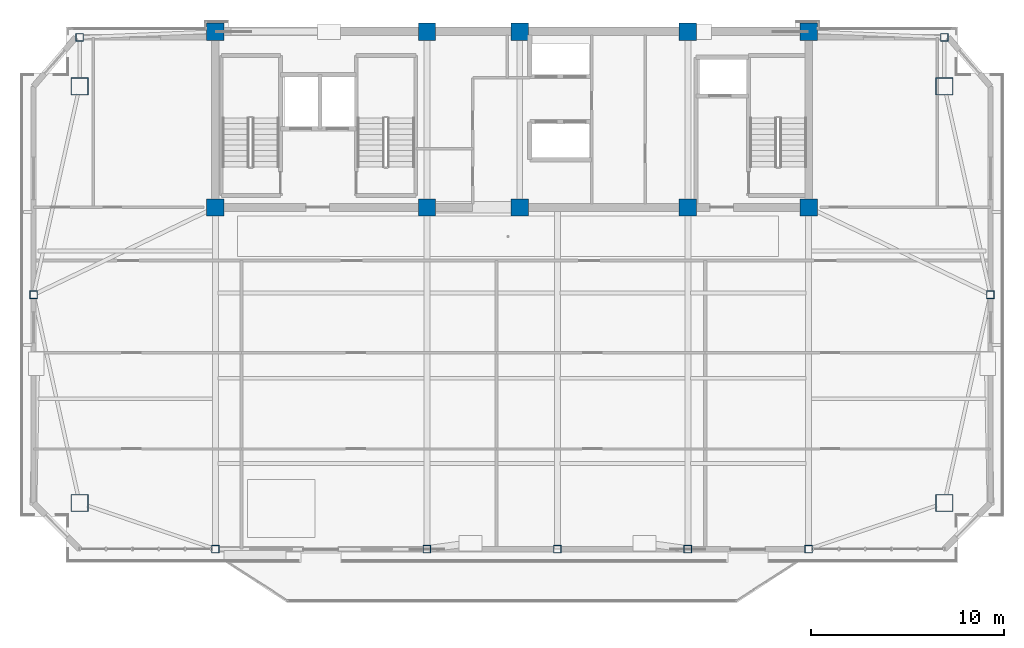
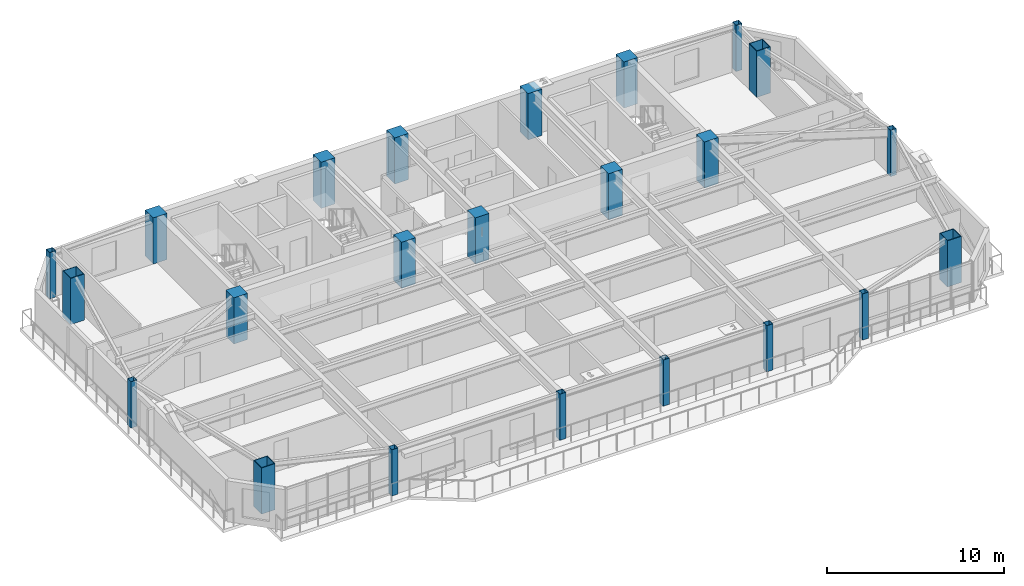
# One storey, part 1 of 13: 23 columns.
"""IFC4 building model written with IfcOpenShell, lengths in metres."""

from ifc_helpers import new_model, si_unit, direction, frame, origin, origin_2d, place, context, subcontext, project, spatial, rectangle, hollow_rectangle, extrude, source, transform, mapped, material, material_profile, profile_set, type_object, element, save


model = new_model("IFC4")

# Units and contexts
model_context = context("Model", 3, precision=1e-05, world=origin(), true_north=direction((0.0, 1.0)))
body_context = subcontext(model_context, "Body", "Model", "MODEL_VIEW")
ifc_project = project(units=[si_unit("LENGTHUNIT", "METRE"), si_unit("AREAUNIT", "SQUARE_METRE"), si_unit("VOLUMEUNIT", "CUBIC_METRE"), si_unit("PLANEANGLEUNIT", "RADIAN"), si_unit("MASSUNIT", "GRAM", prefix="KILO")], contexts=[model_context])

# Site, building, storey
site_placement = place(None, origin())
site = spatial("IfcSite", under=ifc_project, at=site_placement, CompositionType="ELEMENT")
building_placement = place(site_placement, origin())
building = spatial("IfcBuilding", under=site, at=building_placement, Name="Giltprow Tower", CompositionType="ELEMENT")
storey_placement = place(building_placement, frame((0.0, 0.0, 304.0)))
storey = spatial("IfcBuildingStorey", under=building, at=storey_placement, Name="L78", CompositionType="ELEMENT", Elevation=304.0)

# Columns
ifc_material_1 = material(Name="Concrete C45", Category="concrete")
ifc_material_profile_1 = material_profile(ifc_material_1, rectangle(XDim=0.89990234375, YDim=0.89990234375, at=origin_2d()), Name="RC 900x900")
ifc_profile_set_1 = profile_set([ifc_material_profile_1], Name="Concrete C45")
column_type_1 = type_object("IfcColumnType", Name="PIL-RC-900-C45", PredefinedType="PILASTER", material=ifc_profile_set_1)
shared_shape_1 = source(origin(), body_context, "Body", "SweptSolid", [
    extrude(rectangle(XDim=0.89990234375, YDim=0.89990234375, at=origin_2d()), origin(), (0.0, 0.0, 1.0), 3.18505859375),
])
for number, where, z_axis, x_axis, name in (
    (1, (19.85009765625, 37.449951171875, 0.0), (0.0, 0.0, 1.0), (1.0, 0.0, 0.0), "L78 Core Boundary Pilaster 1-1"),
    (2, (19.85009765625, 46.550048828125, 0.0), (0.0, 0.0, 1.0), (1.0, 0.0, 0.0), "L78 Core Boundary Pilaster 1-2"),
    (3, (30.800048828125, 37.449951171875, 0.0), (0.0, 0.0, 1.0), (1.0, 0.0, 0.0), "L78 Core Boundary Pilaster 2-1"),
    (4, (30.800048828125, 46.550048828125, 0.0), (0.0, 0.0, 1.0), (1.0, 0.0, 0.0), "L78 Core Boundary Pilaster 2-2"),
    (5, (35.60009765625, 37.449951171875, 0.0), (0.0, 0.0, 1.0), (1.0, 0.0, 0.0), "L78 Core Boundary Pilaster 3-1"),
    (6, (35.60009765625, 46.550048828125, 0.0), (0.0, 0.0, 1.0), (1.0, 0.0, 0.0), "L78 Core Boundary Pilaster 3-2"),
    (7, (44.300048828125, 37.449951171875, 0.0), (0.0, 0.0, 1.0), (1.0, 0.0, 0.0), "L78 Core Boundary Pilaster 4-1"),
    (8, (44.300048828125, 46.550048828125, 0.0), (0.0, 0.0, 1.0), (1.0, 0.0, 0.0), "L78 Core Boundary Pilaster 4-2"),
    (9, (50.550048828125, 37.449951171875, 0.0), (0.0, 0.0, 1.0), (1.0, 0.0, 0.0), "L78 Core Boundary Pilaster 5-1"),
    (10, (50.550048828125, 46.550048828125, 0.0), (0.0, 0.0, 1.0), (1.0, 0.0, 0.0), "L78 Core Boundary Pilaster 5-2"),
):
    element("IfcColumn", number, at=place(storey_placement, frame(where, z_axis=z_axis, x_axis=x_axis)), inside=storey, type_object=column_type_1, Name=name, PredefinedType="PILASTER", context=body_context, shape_type="MappedRepresentation", body=[
        mapped(shared_shape_1, transform((0.0, 0.0, 0.0), x_axis=(1.0, 0.0, 0.0), y_axis=(0.0, 1.0, 0.0), z_axis=(0.0, 0.0, 1.0), scale=1.0)),
    ])
ifc_material_2 = material(Name="Structural steel Q420GJC", Category="steel")
ifc_material_profile_2 = material_profile(ifc_material_2, hollow_rectangle(XDim=0.89990234375, YDim=0.89990234375, WallThickness=0.0400390625, at=origin_2d()), Name="BOX 900x900x40")
ifc_profile_set_2 = profile_set([ifc_material_profile_2], Name="Structural steel Q420GJC")
column_type_2 = type_object("IfcColumnType", Name="COL-BOX-900x900x40", PredefinedType="COLUMN", material=ifc_profile_set_2)
shared_shape_2 = source(origin(), body_context, "Body", "SweptSolid", [
    extrude(hollow_rectangle(XDim=0.89990234375, YDim=0.89990234375, WallThickness=0.0400390625, at=origin_2d()), origin(), (0.0, 0.0, 1.0), 3.18505859375),
])
for number, where, z_axis, x_axis, name in (
    (11, (12.824951171875, 22.156982421875, 0.0), (0.0, 0.0, 1.0), (1.0, 0.0, 0.0), "L78 Mega-Column MC_SW"),
    (12, (57.574951171875, 22.156982421875, 0.0), (0.0, 0.0, 1.0), (1.0, 0.0, 0.0), "L78 Mega-Column MC_SE"),
    (13, (12.824951171875, 43.715087890625, 0.0), (0.0, 0.0, 1.0), (1.0, 0.0, 0.0), "L78 Mega-Column MC_NW"),
    (14, (57.574951171875, 43.715087890625, 0.0), (0.0, 0.0, 1.0), (1.0, 0.0, 0.0), "L78 Mega-Column MC_NE"),
):
    element("IfcColumn", number, at=place(storey_placement, frame(where, z_axis=z_axis, x_axis=x_axis)), inside=storey, type_object=column_type_2, Name=name, PredefinedType="COLUMN", context=body_context, shape_type="MappedRepresentation", body=[
        mapped(shared_shape_2, transform((0.0, 0.0, 0.0), x_axis=(1.0, 0.0, 0.0), y_axis=(0.0, 1.0, 0.0), z_axis=(0.0, 0.0, 1.0), scale=1.0)),
    ])
ifc_material_3 = material(Name="Structural steel Q355B", Category="steel")
ifc_material_profile_3 = material_profile(ifc_material_3, hollow_rectangle(XDim=0.39990234375, YDim=0.39990234375, WallThickness=0.02001953125, at=origin_2d()), Name="BOX 400x400x20")
ifc_profile_set_3 = profile_set([ifc_material_profile_3], Name="Structural steel Q355B")
column_type_3 = type_object("IfcColumnType", Name="COL-BOX-400x400x20", PredefinedType="COLUMN", material=ifc_profile_set_3)
shared_shape_3 = source(origin(), body_context, "Body", "SweptSolid", [
    extrude(hollow_rectangle(XDim=0.39990234375, YDim=0.39990234375, WallThickness=0.02001953125, at=origin_2d()), origin(), (0.0, 0.0, 1.0), 3.18505859375),
])
for number, where, z_axis, x_axis, name in (
    (15, (19.85009765625, 19.77197265625, 0.0), (0.0, 0.0, 1.0), (1.0, 0.0, 0.0), "L78 Perimeter Column S1"),
    (16, (30.800048828125, 19.77197265625, 0.0), (0.0, 0.0, 1.0), (1.0, 0.0, 0.0), "L78 Perimeter Column S2"),
    (17, (37.550048828125, 19.77197265625, 0.0), (0.0, 0.0, 1.0), (1.0, 0.0, 0.0), "L78 Perimeter Column S_MID"),
    (18, (44.300048828125, 19.77197265625, 0.0), (0.0, 0.0, 1.0), (1.0, 0.0, 0.0), "L78 Perimeter Column S3"),
    (19, (50.550048828125, 19.77197265625, 0.0), (0.0, 0.0, 1.0), (1.0, 0.0, 0.0), "L78 Perimeter Column S4"),
    (20, (10.43994140625, 32.93603515625, 0.0), (0.0, 0.0, 1.0), (1.0, 0.0, 0.0), "L78 Perimeter Column W_MID"),
    (21, (59.9599609375, 32.93603515625, 0.0), (0.0, 0.0, 1.0), (1.0, 0.0, 0.0), "L78 Perimeter Column E_MID"),
    (22, (12.824951171875, 46.25, 0.0), (0.0, 0.0, 1.0), (1.0, 0.0, 0.0), "L78 Perimeter Column N_W"),
    (23, (57.574951171875, 46.25, 0.0), (0.0, 0.0, 1.0), (1.0, 0.0, 0.0), "L78 Perimeter Column N_E"),
):
    element("IfcColumn", number, at=place(storey_placement, frame(where, z_axis=z_axis, x_axis=x_axis)), inside=storey, type_object=column_type_3, Name=name, PredefinedType="COLUMN", context=body_context, shape_type="MappedRepresentation", body=[
        mapped(shared_shape_3, transform((0.0, 0.0, 0.0), x_axis=(1.0, 0.0, 0.0), y_axis=(0.0, 1.0, 0.0), z_axis=(0.0, 0.0, 1.0), scale=1.0)),
    ])

save(model, "model.ifc")
